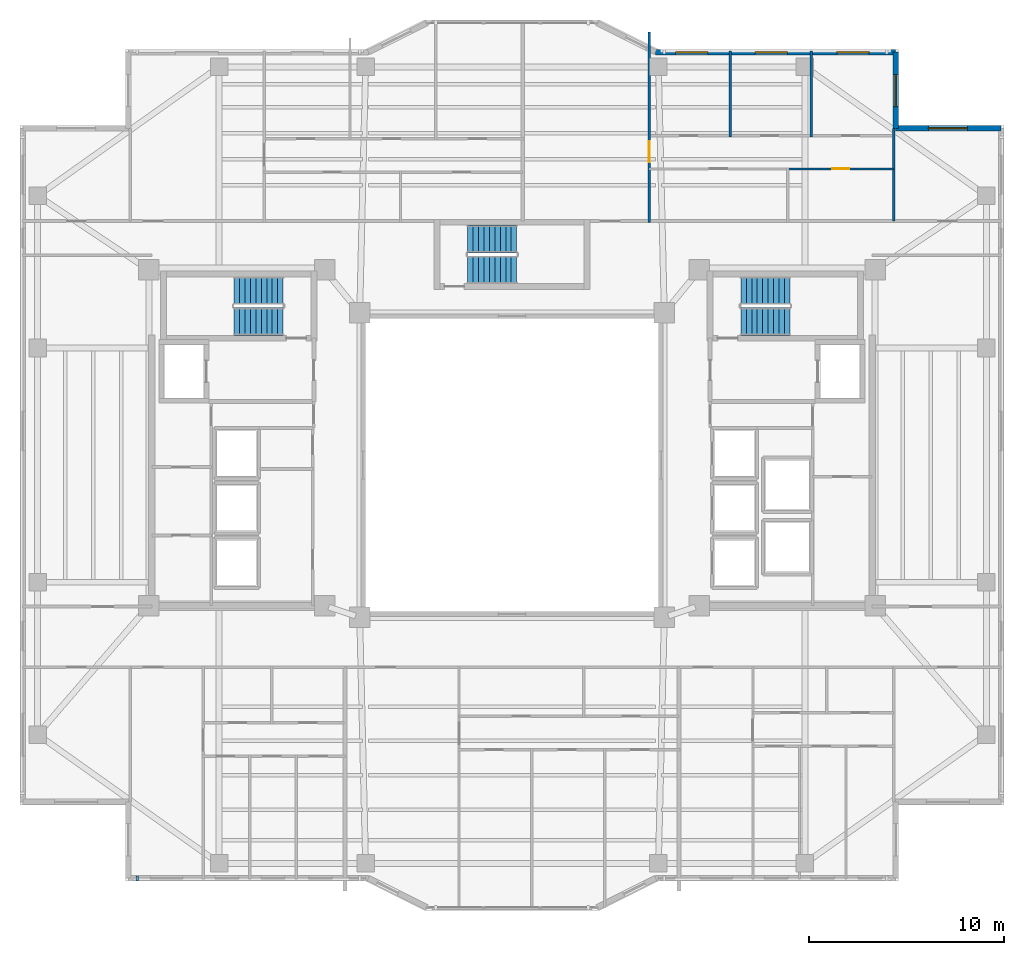
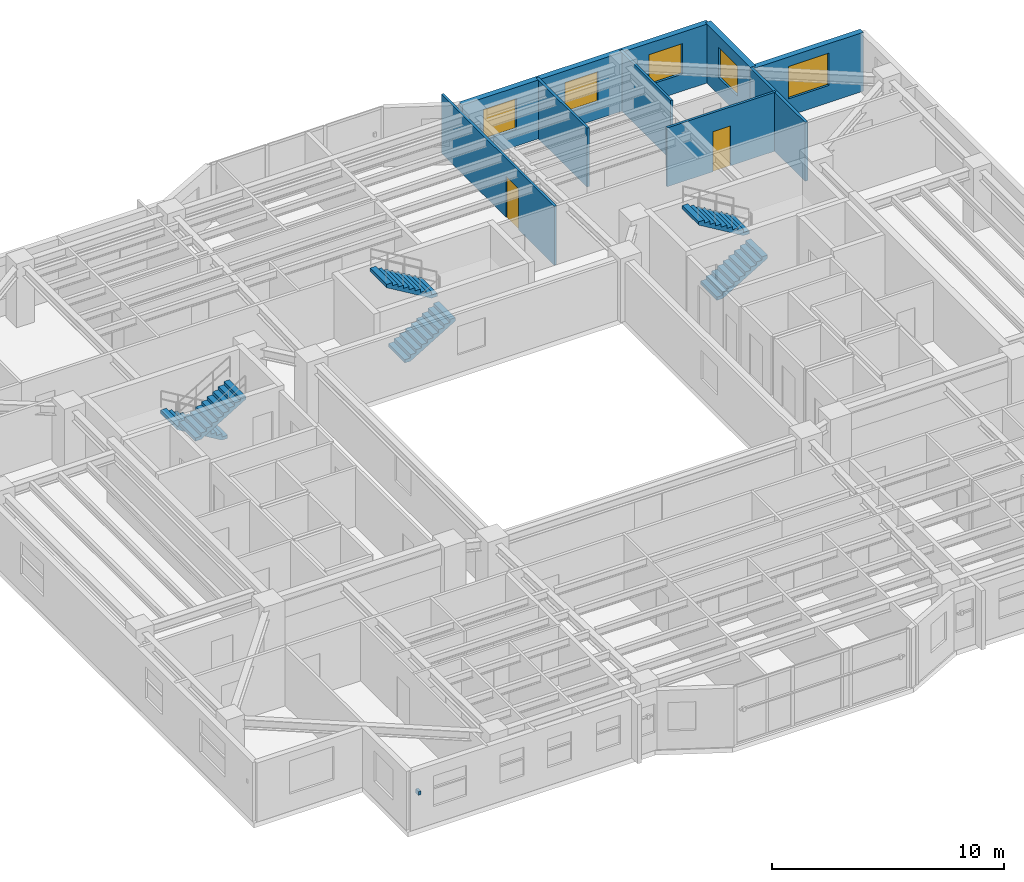
# One storey, part 11 of 16: 8 walls, 6 stair flights, 5 windows, 2 doors, 1 discrete accessory, 7 openings, 3 elements without a shape of their own.
"""IFC4 building model written with IfcOpenShell, lengths in metres."""

from ifc_helpers import new_model, si_unit, direction, frame, frame_2d, origin, origin_2d, place, context, subcontext, project, spatial, polyline, rectangle, outline, extrude, material, layer, layer_set, type_object, element, fill, aggregate, save


model = new_model("IFC4")

# Units and contexts
model_context = context("Model", 3, precision=1e-05, world=origin(), true_north=direction((0.0, 1.0)))
body_context = subcontext(model_context, "Body", "Model", "MODEL_VIEW")
ifc_project = project(units=[si_unit("LENGTHUNIT", "METRE"), si_unit("AREAUNIT", "SQUARE_METRE"), si_unit("VOLUMEUNIT", "CUBIC_METRE"), si_unit("PLANEANGLEUNIT", "RADIAN"), si_unit("MASSUNIT", "GRAM", prefix="KILO")], contexts=[model_context])

# Site, building, storey
site_placement = place(None, origin())
site = spatial("IfcSite", under=ifc_project, at=site_placement, CompositionType="ELEMENT")
building_placement = place(site_placement, origin())
building = spatial("IfcBuilding", under=site, at=building_placement, Name="Tarnavaz Court Tower", CompositionType="ELEMENT")
storey_placement = place(building_placement, frame((0.0, 0.0, 149.35009765625)))
storey = spatial("IfcBuildingStorey", under=building, at=storey_placement, Name="L40", CompositionType="ELEMENT", Elevation=149.35009765625)

# Wall, openings, windows
ifc_material_1 = material(Name="Precast Concrete C40/50", Category="concrete")
ifc_layer_1 = layer(ifc_material_1, 0.280029296875)
ifc_layer_set_1 = layer_set([ifc_layer_1], Name="Precast Concrete C40/50")
wall_type_1 = type_object("IfcWallType", Name="WL-EXT-280", PredefinedType="SOLIDWALL", material=ifc_layer_set_1)
wall_1_placement = place(storey_placement, frame((7.35009765625, 21.14990234375, 0.0), z_axis=(0.0, 0.0, 1.0), x_axis=(1.0, 0.0, 0.0)))
wall_1 = element("IfcWall", 1, at=wall_1_placement, inside=storey, type_object=wall_type_1, Name="L40 Exterior Terracotta Facade Wall 09", PredefinedType="SOLIDWALL", context=body_context, shape_type="SweptSolid", body=[
    extrude(rectangle(XDim=12.2998046875, YDim=0.280029296875, at=frame_2d((6.14990234375, 0.0))), origin(), (0.0, 0.0, 1.0), 3.099853515625),
])
opening_1_placement = place(wall_1_placement, frame((1.03271484375, 0.0, 0.89990234375)))
opening_1 = element("IfcOpeningElement", 2, at=opening_1_placement, cuts=wall_1, Name="Opening W02", PredefinedType="OPENING", context=body_context, shape_type="SweptSolid", body=[
    extrude(rectangle(XDim=1.64990234375, YDim=1.60009765625, at=frame_2d((0.824951171875, 0.800048828125))), frame((0.0, 0.14990234375, 0.0), z_axis=(0.0, -1.0, 0.0), x_axis=(1.0, 0.0, 0.0)), (0.0, 0.0, 1.0), 0.300048828125),
])
opening_2_placement = place(wall_1_placement, frame((5.09912109375, 0.0, 0.89990234375)))
opening_2 = element("IfcOpeningElement", 3, at=opening_2_placement, cuts=wall_1, Name="Opening W02", PredefinedType="OPENING", context=body_context, shape_type="SweptSolid", body=[
    extrude(rectangle(XDim=1.64990234375, YDim=1.60009765625, at=frame_2d((0.824951171875, 0.800048828125))), frame((0.0, 0.14990234375, 0.0), z_axis=(0.0, -1.0, 0.0), x_axis=(1.0, 0.0, 0.0)), (0.0, 0.0, 1.0), 0.300048828125),
])
opening_3_placement = place(wall_1_placement, frame((9.291015625, 0.0, 0.89990234375)))
opening_3 = element("IfcOpeningElement", 4, at=opening_3_placement, cuts=wall_1, Name="Opening W02", PredefinedType="OPENING", context=body_context, shape_type="SweptSolid", body=[
    extrude(rectangle(XDim=1.64990234375, YDim=1.60009765625, at=frame_2d((0.824951171875, 0.800048828125))), frame((0.0, 0.14990234375, 0.0), z_axis=(0.0, -1.0, 0.0), x_axis=(1.0, 0.0, 0.0)), (0.0, 0.0, 1.0), 0.300048828125),
])
ifc_material_2 = material(Name="Double-Glazed Solar Low-E Glass", Category="glass")
window_type_1 = type_object("IfcWindowType", Name="WN-APT-1650", PartitioningType="DOUBLE_PANEL_VERTICAL", PredefinedType="WINDOW", material=ifc_material_2)
window_1_placement = place(opening_1_placement, origin())
window_1 = element("IfcWindow", 5, at=window_1_placement, inside=storey, type_object=window_type_1, Name="L40 Flat 02 Principal Bedroom Window", OverallHeight=1.60009765625, OverallWidth=1.64990234375, PartitioningType="SINGLE_PANEL", PredefinedType="WINDOW", context=body_context, shape_type="SweptSolid", body=[
    extrude(rectangle(XDim=1.64990234375, YDim=1.60009765625, at=frame_2d((0.824951171875, 0.800048828125))), frame((0.0, 0.030029296875, 0.0), z_axis=(0.0, -1.0, 0.0), x_axis=(1.0, 0.0, 0.0)), (0.0, 0.0, 1.0), 0.06005859375),
])
fill(opening_1, window_1)
window_2_placement = place(opening_2_placement, origin())
window_2 = element("IfcWindow", 6, at=window_2_placement, inside=storey, type_object=window_type_1, Name="L40 Flat 02 Bedroom 2 Window", OverallHeight=1.60009765625, OverallWidth=1.64990234375, PartitioningType="SINGLE_PANEL", PredefinedType="WINDOW", context=body_context, shape_type="SweptSolid", body=[
    extrude(rectangle(XDim=1.64990234375, YDim=1.60009765625, at=frame_2d((0.824951171875, 0.800048828125))), frame((0.0, 0.030029296875, 0.0), z_axis=(0.0, -1.0, 0.0), x_axis=(1.0, 0.0, 0.0)), (0.0, 0.0, 1.0), 0.06005859375),
])
fill(opening_2, window_2)
window_3_placement = place(opening_3_placement, origin())
window_3 = element("IfcWindow", 7, at=window_3_placement, inside=storey, type_object=window_type_1, Name="L40 Flat 02 Bedroom 3 Window", OverallHeight=1.60009765625, OverallWidth=1.64990234375, PartitioningType="SINGLE_PANEL", PredefinedType="WINDOW", context=body_context, shape_type="SweptSolid", body=[
    extrude(rectangle(XDim=1.64990234375, YDim=1.60009765625, at=frame_2d((0.824951171875, 0.800048828125))), frame((0.0, 0.030029296875, 0.0), z_axis=(0.0, -1.0, 0.0), x_axis=(1.0, 0.0, 0.0)), (0.0, 0.0, 1.0), 0.06005859375),
])
fill(opening_3, window_3)

# Wall, opening, window
wall_2_placement = place(storey_placement, frame((19.64990234375, 21.14990234375, 0.0), z_axis=(0.0, 0.0, 1.0), x_axis=(0.0, -1.0, 0.0)))
wall_2 = element("IfcWall", 8, at=wall_2_placement, inside=storey, type_object=wall_type_1, Name="L40 Exterior Terracotta Facade Wall 10", PredefinedType="SOLIDWALL", context=body_context, shape_type="SweptSolid", body=[
    extrude(rectangle(XDim=3.89990234375, YDim=0.280029296875, at=frame_2d((1.949951171875, 0.0))), origin(), (0.0, 0.0, 1.0), 3.099853515625),
])
opening_4_placement = place(wall_2_placement, frame((1.142822265625, 0.0, 0.89990234375)))
opening_4 = element("IfcOpeningElement", 9, at=opening_4_placement, cuts=wall_2, Name="Opening W02", PredefinedType="OPENING", context=body_context, shape_type="SweptSolid", body=[
    extrude(rectangle(XDim=1.64990234375, YDim=1.60009765625, at=frame_2d((0.824951171875, 0.800048828125))), frame((0.0, 0.14990234375, 0.0), z_axis=(0.0, -1.0, 0.0), x_axis=(1.0, 0.0, 0.0)), (0.0, 0.0, 1.0), 0.300048828125),
])
window_4_placement = place(opening_4_placement, origin())
window_4 = element("IfcWindow", 10, at=window_4_placement, inside=storey, type_object=window_type_1, Name="L40 Flat 02 Bedroom 3 Window", OverallHeight=1.60009765625, OverallWidth=1.64990234375, PartitioningType="SINGLE_PANEL", PredefinedType="WINDOW", context=body_context, shape_type="SweptSolid", body=[
    extrude(rectangle(XDim=1.64990234375, YDim=1.60009765625, at=frame_2d((0.824951171875, 0.800048828125))), frame((0.0, 0.030029296875, 0.0), z_axis=(0.0, -1.0, 0.0), x_axis=(1.0, 0.0, 0.0)), (0.0, 0.0, 1.0), 0.06005859375),
])
fill(opening_4, window_4)

wall_3_placement = place(storey_placement, frame((19.64990234375, 17.25, 0.0), z_axis=(0.0, 0.0, 1.0), x_axis=(1.0, 0.0, 0.0)))
wall_3 = element("IfcWall", 11, at=wall_3_placement, inside=storey, type_object=wall_type_1, Name="L40 Exterior Terracotta Facade Wall 11", PredefinedType="SOLIDWALL", context=body_context, shape_type="SweptSolid", body=[
    extrude(rectangle(XDim=5.400146484375, YDim=0.280029296875, at=frame_2d((2.7001953125, 0.0))), origin(), (0.0, 0.0, 1.0), 3.099853515625),
])
opening_5_placement = place(wall_3_placement, frame((1.675048828125, 0.0, 0.89990234375)))
opening_5 = element("IfcOpeningElement", 12, at=opening_5_placement, cuts=wall_3, Name="Opening W08", PredefinedType="OPENING", context=body_context, shape_type="SweptSolid", body=[
    extrude(rectangle(XDim=2.0, YDim=1.699951171875, at=frame_2d((1.0, 0.85009765625))), frame((0.0, 0.14990234375, 0.0), z_axis=(0.0, -1.0, 0.0), x_axis=(1.0, 0.0, 0.0)), (0.0, 0.0, 1.0), 0.300048828125),
])
window_type_2 = type_object("IfcWindowType", Name="WN-APT-2000", PartitioningType="DOUBLE_PANEL_VERTICAL", PredefinedType="WINDOW", material=ifc_material_2)
window_5_placement = place(opening_5_placement, origin())
window_5 = element("IfcWindow", 13, at=window_5_placement, inside=storey, type_object=window_type_2, Name="L40 North-East Corner Sunroom Study Window", OverallHeight=1.699951171875, OverallWidth=2.0, PartitioningType="SINGLE_PANEL", PredefinedType="WINDOW", context=body_context, shape_type="SweptSolid", body=[
    extrude(rectangle(XDim=2.0, YDim=1.699951171875, at=frame_2d((1.0, 0.85009765625))), frame((0.0, 0.030029296875, 0.0), z_axis=(0.0, -1.0, 0.0), x_axis=(1.0, 0.0, 0.0)), (0.0, 0.0, 1.0), 0.06005859375),
])
fill(opening_5, window_5)

# Wall, opening, door
ifc_material_3 = material(Name="Moisture-Resistant Gypsum Board Partition", Category="masonry")
ifc_layer_2 = layer(ifc_material_3, 0.1201171875)
ifc_layer_set_2 = layer_set([ifc_layer_2], Name="Moisture-Resistant Gypsum Board Partition")
wall_type_2 = type_object("IfcWallType", Name="WL-PART-120", PredefinedType="PARTITIONING", material=ifc_layer_set_2)
wall_4_placement = place(storey_placement, frame((7.029052734375, 12.43994140625, 0.0), z_axis=(0.0, 0.0, 1.0), x_axis=(0.0, 1.0, 0.0)))
wall_4 = element("IfcWall", 14, at=wall_4_placement, inside=storey, type_object=wall_type_2, Name="L40 Interior Partition 084", PredefinedType="PARTITIONING", context=body_context, shape_type="SweptSolid", body=[
    extrude(rectangle(XDim=9.739990234375, YDim=0.1201171875, at=frame_2d((4.8701171875, 0.0))), origin(), (0.0, 0.0, 1.0), 3.099853515625),
])
opening_6_placement = place(wall_4_placement, frame((3.074951171875, 0.0, 0.0)))
opening_6 = element("IfcOpeningElement", 15, at=opening_6_placement, cuts=wall_4, Name="Opening D12", PredefinedType="OPENING", context=body_context, shape_type="SweptSolid", body=[
    extrude(rectangle(XDim=1.080078125, YDim=2.14990234375, at=frame_2d((0.5400390625, 1.074951171875))), frame((0.0, 0.070068359375, 0.0), z_axis=(0.0, -1.0, 0.0), x_axis=(1.0, 0.0, 0.0)), (0.0, 0.0, 1.0), 0.14013671875),
])
ifc_material_4 = material(Name="Engineered Oak Timber", Category="wood")
door_type_1 = type_object("IfcDoorType", Name="DR-INT-1100", OperationType="NOTDEFINED", PredefinedType="DOOR", material=ifc_material_4)
door_1_placement = place(opening_6_placement, origin())
door_1 = element("IfcDoor", 16, at=door_1_placement, inside=storey, type_object=door_type_1, Name="L40 Flat 02 Foyer Door", OperationType="SINGLE_SWING_RIGHT", OverallHeight=2.14990234375, OverallWidth=1.080078125, PredefinedType="DOOR", context=body_context, shape_type="SweptSolid", body=[
    extrude(rectangle(XDim=1.080078125, YDim=2.14990234375, at=frame_2d((0.5400390625, 1.074951171875))), frame((0.0, 0.02490234375, 0.0), z_axis=(0.0, -1.0, 0.0), x_axis=(1.0, 0.0, 0.0)), (0.0, 0.0, 1.0), 0.050048828125),
])
fill(opening_6, door_1)

wall_5_placement = place(storey_placement, frame((14.132080078125, 15.169921875, 0.0), z_axis=(0.0, 0.0, 1.0), x_axis=(1.0, 0.0, 0.0)))
wall_5 = element("IfcWall", 17, at=wall_5_placement, inside=storey, type_object=wall_type_2, Name="L40 Interior Partition 086", PredefinedType="PARTITIONING", context=body_context, shape_type="SweptSolid", body=[
    extrude(rectangle(XDim=5.41796875, YDim=0.1201171875, at=frame_2d((2.708984375, 0.0))), origin(), (0.0, 0.0, 1.0), 3.099853515625),
])
opening_7_placement = place(wall_5_placement, frame((2.26904296875, 0.0, 0.0)))
opening_7 = element("IfcOpeningElement", 18, at=opening_7_placement, cuts=wall_5, Name="Opening D14", PredefinedType="OPENING", context=body_context, shape_type="SweptSolid", body=[
    extrude(rectangle(XDim=0.8798828125, YDim=2.10009765625, at=frame_2d((0.43994140625, 1.050048828125))), frame((0.0, 0.070068359375, 0.0), z_axis=(0.0, -1.0, 0.0), x_axis=(1.0, 0.0, 0.0)), (0.0, 0.0, 1.0), 0.14013671875),
])
door_type_2 = type_object("IfcDoorType", Name="DR-INT-900", OperationType="NOTDEFINED", PredefinedType="DOOR", material=ifc_material_4)
door_2_placement = place(opening_7_placement, origin())
door_2 = element("IfcDoor", 19, at=door_2_placement, inside=storey, type_object=door_type_2, Name="L40 Flat 02 Bathroom Door", OperationType="SINGLE_SWING_RIGHT", OverallHeight=2.10009765625, OverallWidth=0.8798828125, PredefinedType="DOOR", context=body_context, shape_type="SweptSolid", body=[
    extrude(rectangle(XDim=0.8798828125, YDim=2.10009765625, at=frame_2d((0.43994140625, 1.050048828125))), frame((0.0, 0.02490234375, 0.0), z_axis=(0.0, -1.0, 0.0), x_axis=(1.0, 0.0, 0.0)), (0.0, 0.0, 1.0), 0.050048828125),
])
fill(opening_7, door_2)

# Walls
for number, where, z_axis, x_axis, name in (
    (20, (11.18310546875, 16.820068359375, 0.0), (0.0, 0.0, 1.0), (0.0, 1.0, 0.0), "L40 Interior Partition 089"),
    (21, (15.3359375, 16.820068359375, 0.0), (0.0, 0.0, 1.0), (0.0, 1.0, 0.0), "L40 Interior Partition 090"),
):
    element("IfcWall", number, at=place(storey_placement, frame(where, z_axis=z_axis, x_axis=x_axis)), inside=storey, type_object=wall_type_2, Name=name, PredefinedType="PARTITIONING", context=body_context, shape_type="SweptSolid", body=[
        extrude(rectangle(XDim=4.3798828125, YDim=0.1201171875, at=frame_2d((2.18994140625, 0.0))), origin(), (0.0, 0.0, 1.0), 3.099853515625),
    ])
ifc_material_5 = material(Name="Gypsum Plasterboard Acoustic Partition", Category="masonry")
ifc_layer_3 = layer(ifc_material_5, 0.139892578125)
ifc_layer_set_3 = layer_set([ifc_layer_3], Name="Gypsum Plasterboard Acoustic Partition")
wall_type_3 = type_object("IfcWallType", Name="WL-PART-150", PredefinedType="PARTITIONING", material=ifc_layer_set_3)
wall_6_placement = place(storey_placement, frame((19.550048828125, 12.5, 0.0), z_axis=(0.0, 0.0, 1.0), x_axis=(0.0, 1.0, 0.0)))
element("IfcWall", 22, at=wall_6_placement, inside=storey, type_object=wall_type_3, Name="L40 Interior Partition 122", PredefinedType="PARTITIONING", context=body_context, shape_type="SweptSolid", body=[
    extrude(rectangle(XDim=4.75, YDim=0.139892578125, at=frame_2d((2.375, 0.0))), origin(), (0.0, 0.0, 1.0), 3.099853515625),
])

# Stair, stair flights
ifc_material_6 = material(Name="Concrete C40/50", Category="concrete")
stair_type = type_object("IfcStairType", Name="ST-TWR-20R", PredefinedType="HALF_TURN_STAIR", material=ifc_material_6)
stair_1_placement = place(storey_placement, origin())
stair_1 = element("IfcStair", 23, at=stair_1_placement, inside=storey, type_object=stair_type, Name="L40 West Core Pressurized Exit Stair ST-W1", PredefinedType="HALF_TURN_STAIR")
stair_flight_type = type_object("IfcStairFlightType", Name="SFL-RC-20R", PredefinedType="STRAIGHT", material=ifc_material_6)
stair_flight_1_placement = place(storey_placement, frame((-11.719970703125, 8.929931640625, 0.0), z_axis=(0.0, 0.0, 1.0), x_axis=(-1.0, 0.0, 0.0)))
stair_flight_1 = element("IfcStairFlight", 24, at=stair_flight_1_placement, type_object=stair_flight_type, Name="ST-W1 flight 1", NumberOfRisers=10, NumberOfTreads=9, PredefinedType="STRAIGHT", RiserHeight=0.1675, TreadLength=0.28, context=body_context, shape_type="SweptSolid", body=[
    extrude(outline(polyline([(0.0, 0.0), (0.0, 0.16748046875), (0.280029296875, 0.16748046875), (0.280029296875, 0.3349609375), (0.56005859375, 0.3349609375), (0.56005859375, 0.50244140625), (0.840087890625, 0.50244140625), (0.840087890625, 0.669921875), (1.1201171875, 0.669921875), (1.1201171875, 0.83740234375), (1.39990234375, 0.83740234375), (1.39990234375, 1.0048828125), (1.679931640625, 1.0048828125), (1.679931640625, 1.172607421875), (1.9599609375, 1.172607421875), (1.9599609375, 1.340087890625), (2.239990234375, 1.340087890625), (2.239990234375, 1.507568359375), (2.52001953125, 1.507568359375), (2.52001953125, 1.675048828125), (2.52001953125, 1.332763671875), (0.2919921875, 0.0), (0.0, 0.0)])), frame((0.0, 0.7099609375, 0.0), z_axis=(0.0, -1.0, 0.0), x_axis=(1.0, 0.0, 0.0)), (0.0, 0.0, 1.0), 1.419921875),
])
stair_flight_2_placement = place(storey_placement, frame((-14.239990234375, 7.360107421875, 1.6748046875), z_axis=(0.0, 0.0, 1.0), x_axis=(1.0, 0.0, 0.0)))
stair_flight_2 = element("IfcStairFlight", 25, at=stair_flight_2_placement, type_object=stair_flight_type, Name="ST-W1 flight 2", NumberOfRisers=10, NumberOfTreads=9, PredefinedType="STRAIGHT", RiserHeight=0.1675, TreadLength=0.28, context=body_context, shape_type="SweptSolid", body=[
    extrude(outline(polyline([(0.0, 0.0), (0.0, 0.16748046875), (0.280029296875, 0.16748046875), (0.280029296875, 0.3349609375), (0.56005859375, 0.3349609375), (0.56005859375, 0.50244140625), (0.840087890625, 0.50244140625), (0.840087890625, 0.669921875), (1.1201171875, 0.669921875), (1.1201171875, 0.83740234375), (1.39990234375, 0.83740234375), (1.39990234375, 1.0048828125), (1.679931640625, 1.0048828125), (1.679931640625, 1.172607421875), (1.9599609375, 1.172607421875), (1.9599609375, 1.340087890625), (2.239990234375, 1.340087890625), (2.239990234375, 1.507568359375), (2.52001953125, 1.507568359375), (2.52001953125, 1.675048828125), (2.52001953125, 1.332763671875), (0.2919921875, 0.0), (0.0, 0.0)])), frame((0.0, 0.7099609375, 0.0), z_axis=(0.0, -1.0, 0.0), x_axis=(1.0, 0.0, 0.0)), (0.0, 0.0, 1.0), 1.419921875),
])
aggregate(stair_1, [stair_flight_1, stair_flight_2])

stair_2_placement = place(storey_placement, origin())
stair_2 = element("IfcStair", 26, at=stair_2_placement, inside=storey, type_object=stair_type, Name="L40 East Core Pressurized Exit Stair ST-E1", PredefinedType="HALF_TURN_STAIR")
stair_flight_3_placement = place(storey_placement, frame((11.719970703125, 7.360107421875, 0.0), z_axis=(0.0, 0.0, 1.0), x_axis=(1.0, 0.0, 0.0)))
stair_flight_3 = element("IfcStairFlight", 27, at=stair_flight_3_placement, type_object=stair_flight_type, Name="ST-E1 flight 1", NumberOfRisers=10, NumberOfTreads=9, PredefinedType="STRAIGHT", RiserHeight=0.1675, TreadLength=0.28, context=body_context, shape_type="SweptSolid", body=[
    extrude(outline(polyline([(0.0, 0.0), (0.0, 0.16748046875), (0.280029296875, 0.16748046875), (0.280029296875, 0.3349609375), (0.56005859375, 0.3349609375), (0.56005859375, 0.50244140625), (0.840087890625, 0.50244140625), (0.840087890625, 0.669921875), (1.1201171875, 0.669921875), (1.1201171875, 0.83740234375), (1.39990234375, 0.83740234375), (1.39990234375, 1.0048828125), (1.679931640625, 1.0048828125), (1.679931640625, 1.172607421875), (1.9599609375, 1.172607421875), (1.9599609375, 1.340087890625), (2.239990234375, 1.340087890625), (2.239990234375, 1.507568359375), (2.52001953125, 1.507568359375), (2.52001953125, 1.675048828125), (2.52001953125, 1.332763671875), (0.2919921875, 0.0), (0.0, 0.0)])), frame((0.0, 0.7099609375, 0.0), z_axis=(0.0, -1.0, 0.0), x_axis=(1.0, 0.0, 0.0)), (0.0, 0.0, 1.0), 1.419921875),
])
stair_flight_4_placement = place(storey_placement, frame((14.239990234375, 8.929931640625, 1.6748046875), z_axis=(0.0, 0.0, 1.0), x_axis=(-1.0, 0.0, 0.0)))
stair_flight_4 = element("IfcStairFlight", 28, at=stair_flight_4_placement, type_object=stair_flight_type, Name="ST-E1 flight 2", NumberOfRisers=10, NumberOfTreads=9, PredefinedType="STRAIGHT", RiserHeight=0.1675, TreadLength=0.28, context=body_context, shape_type="SweptSolid", body=[
    extrude(outline(polyline([(0.0, 0.0), (0.0, 0.16748046875), (0.280029296875, 0.16748046875), (0.280029296875, 0.3349609375), (0.56005859375, 0.3349609375), (0.56005859375, 0.50244140625), (0.840087890625, 0.50244140625), (0.840087890625, 0.669921875), (1.1201171875, 0.669921875), (1.1201171875, 0.83740234375), (1.39990234375, 0.83740234375), (1.39990234375, 1.0048828125), (1.679931640625, 1.0048828125), (1.679931640625, 1.172607421875), (1.9599609375, 1.172607421875), (1.9599609375, 1.340087890625), (2.239990234375, 1.340087890625), (2.239990234375, 1.507568359375), (2.52001953125, 1.507568359375), (2.52001953125, 1.675048828125), (2.52001953125, 1.332763671875), (0.2919921875, 0.0), (0.0, 0.0)])), frame((0.0, 0.7099609375, 0.0), z_axis=(0.0, -1.0, 0.0), x_axis=(1.0, 0.0, 0.0)), (0.0, 0.0, 1.0), 1.419921875),
])
aggregate(stair_2, [stair_flight_3, stair_flight_4])

stair_3_placement = place(storey_placement, origin())
stair_3 = element("IfcStair", 29, at=stair_3_placement, inside=storey, type_object=stair_type, Name="L40 North Ring Pressurized Exit Stair ST-N1", PredefinedType="HALF_TURN_STAIR")
stair_flight_5_placement = place(storey_placement, frame((-2.280029296875, 10.010009765625, 0.0), z_axis=(0.0, 0.0, 1.0), x_axis=(1.0, 0.0, 0.0)))
stair_flight_5 = element("IfcStairFlight", 30, at=stair_flight_5_placement, type_object=stair_flight_type, Name="ST-N1 flight 1", NumberOfRisers=10, NumberOfTreads=9, PredefinedType="STRAIGHT", RiserHeight=0.1675, TreadLength=0.28, context=body_context, shape_type="SweptSolid", body=[
    extrude(outline(polyline([(0.0, 0.0), (0.0, 0.16748046875), (0.280029296875, 0.16748046875), (0.280029296875, 0.3349609375), (0.56005859375, 0.3349609375), (0.56005859375, 0.50244140625), (0.840087890625, 0.50244140625), (0.840087890625, 0.669921875), (1.1201171875, 0.669921875), (1.1201171875, 0.83740234375), (1.39990234375, 0.83740234375), (1.39990234375, 1.0048828125), (1.679931640625, 1.0048828125), (1.679931640625, 1.172607421875), (1.9599609375, 1.172607421875), (1.9599609375, 1.340087890625), (2.239990234375, 1.340087890625), (2.239990234375, 1.507568359375), (2.52001953125, 1.507568359375), (2.52001953125, 1.675048828125), (2.52001953125, 1.332763671875), (0.2919921875, 0.0), (0.0, 0.0)])), frame((0.0, 0.7099609375, 0.0), z_axis=(0.0, -1.0, 0.0), x_axis=(1.0, 0.0, 0.0)), (0.0, 0.0, 1.0), 1.419921875),
])
stair_flight_6_placement = place(storey_placement, frame((0.239990234375, 11.580078125, 1.6748046875), z_axis=(0.0, 0.0, 1.0), x_axis=(-1.0, 0.0, 0.0)))
stair_flight_6 = element("IfcStairFlight", 31, at=stair_flight_6_placement, type_object=stair_flight_type, Name="ST-N1 flight 2", NumberOfRisers=10, NumberOfTreads=9, PredefinedType="STRAIGHT", RiserHeight=0.1675, TreadLength=0.28, context=body_context, shape_type="SweptSolid", body=[
    extrude(outline(polyline([(0.0, 0.0), (0.0, 0.16748046875), (0.280029296875, 0.16748046875), (0.280029296875, 0.3349609375), (0.56005859375, 0.3349609375), (0.56005859375, 0.50244140625), (0.840087890625, 0.50244140625), (0.840087890625, 0.669921875), (1.1201171875, 0.669921875), (1.1201171875, 0.83740234375), (1.39990234375, 0.83740234375), (1.39990234375, 1.0048828125), (1.679931640625, 1.0048828125), (1.679931640625, 1.172607421875), (1.9599609375, 1.172607421875), (1.9599609375, 1.340087890625), (2.239990234375, 1.340087890625), (2.239990234375, 1.507568359375), (2.52001953125, 1.507568359375), (2.52001953125, 1.675048828125), (2.52001953125, 1.332763671875), (0.2919921875, 0.0), (0.0, 0.0)])), frame((0.0, 0.7099609375, 0.0), z_axis=(0.0, -1.0, 0.0), x_axis=(1.0, 0.0, 0.0)), (0.0, 0.0, 1.0), 1.419921875),
])
aggregate(stair_3, [stair_flight_5, stair_flight_6])

# Discrete accessory
ifc_material_7 = material(Name="Anodised Aluminium 6063-T6", Category="aluminium")
discrete_accessory_type = type_object("IfcDiscreteAccessoryType", Name="DA-BRKT-ALU", PredefinedType="BRACKET", material=ifc_material_7)
discrete_accessory_placement = place(storey_placement, frame((-19.199951171875, -21.169921875, 1.75), z_axis=(0.0, 0.0, 1.0), x_axis=(-1.0, 0.0, 0.0)))
element("IfcDiscreteAccessory", 32, at=discrete_accessory_placement, inside=storey, type_object=discrete_accessory_type, Name="L40 Baguette Outrigger Bracket FBG19-2", PredefinedType="BRACKET", context=body_context, shape_type="SweptSolid", body=[
    extrude(rectangle(XDim=0.139892578125, YDim=0.239990234375, at=origin_2d()), origin(), (0.0, 0.0, 1.0), 0.199951171875),
])

save(model, "model.ifc")
